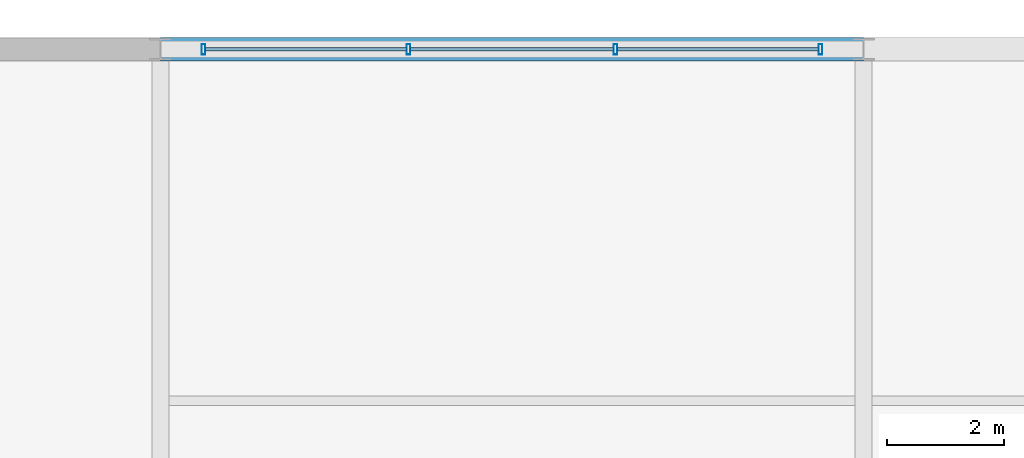
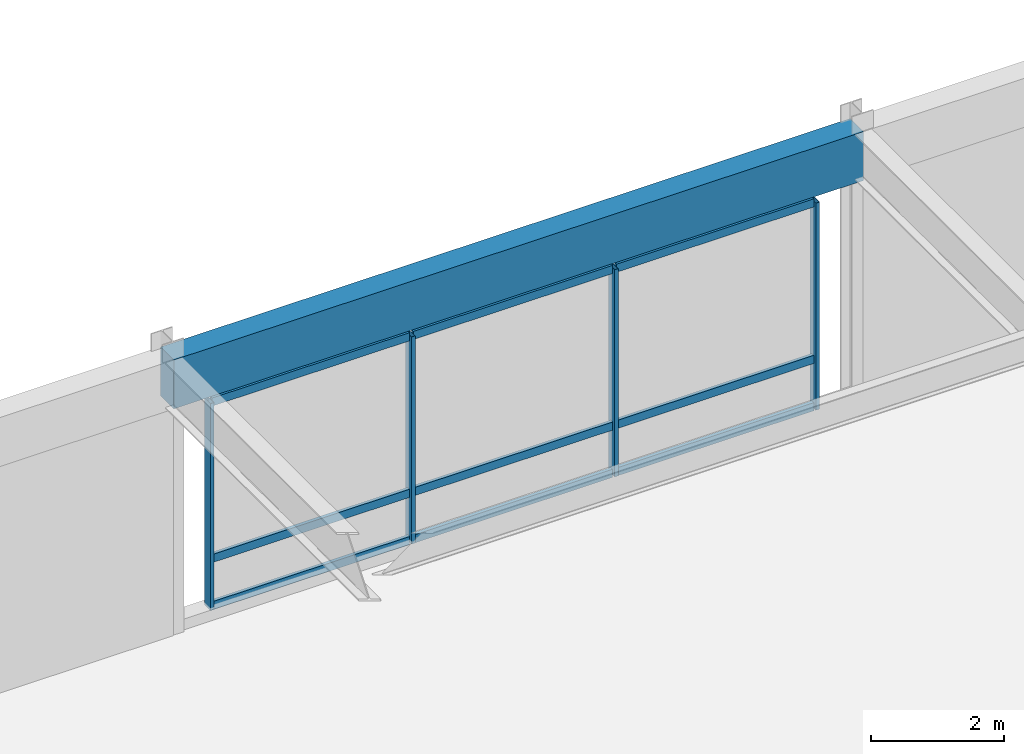
# One storey, part 36 of 100: 13 members, 1 beam, 1 element without a shape of its own.
"""IFC4 building model written with IfcOpenShell, lengths in metres."""

from ifc_helpers import new_model, si_unit, direction, frame, origin, origin_2d, place, context, subcontext, project, spatial, rectangle, hollow_rectangle, extrude, material, material_profile, profile_set, type_object, element, aggregate, save


model = new_model("IFC4")

# Units and contexts
model_context = context("Model", 3, precision=1e-05, world=origin(), true_north=direction((0.0, 1.0)))
body_context = subcontext(model_context, "Body", "Model", "MODEL_VIEW")
ifc_project = project(units=[si_unit("LENGTHUNIT", "METRE"), si_unit("AREAUNIT", "SQUARE_METRE"), si_unit("VOLUMEUNIT", "CUBIC_METRE"), si_unit("PLANEANGLEUNIT", "RADIAN"), si_unit("MASSUNIT", "GRAM", prefix="KILO")], contexts=[model_context])

# Site, building, storey
site_placement = place(None, origin())
site = spatial("IfcSite", under=ifc_project, at=site_placement, CompositionType="ELEMENT")
building_placement = place(site_placement, origin())
building = spatial("IfcBuilding", under=site, at=building_placement, Name="Kaldorvane Square Convention Centre", CompositionType="ELEMENT")
storey_placement = place(building_placement, frame((0.0, 0.0, 18.0)))
storey = spatial("IfcBuildingStorey", under=building, at=storey_placement, Name="L03", CompositionType="ELEMENT", Elevation=18.0)

# Beam
ifc_material_1 = material(Name="Concrete f'c = 42 MPa (Normalweight)", Category="concrete")
ifc_material_profile_1 = material_profile(ifc_material_1, rectangle(XDim=0.399993896484375, YDim=0.899993896484375, at=origin_2d()), Name="RCSP900X400")
ifc_profile_set_1 = profile_set([ifc_material_profile_1], Name="Concrete f'c = 42 MPa (Normalweight)")
beam_type = type_object("IfcBeamType", Name="BM-SP-RC900", PredefinedType="SPANDREL", material=ifc_profile_set_1)
beam_placement = place(storey_placement, frame((102.0, 117.0, 4.626007080078125), z_axis=(1.0, 0.0, 0.0), x_axis=(0.0, 1.0, 0.0)))
element("IfcBeam", 1, at=beam_placement, inside=storey, type_object=beam_type, Name="Perimeter Spandrel (L03)", PredefinedType="SPANDREL", context=body_context, shape_type="SweptSolid", body=[
    extrude(rectangle(XDim=0.399993896484375, YDim=0.899993896484375, at=origin_2d()), origin(), (0.0, 0.0, 1.0), 12.0),
])

# Curtain wall, members
ifc_material_2 = material(Name="Anodized Aluminum and Low-E Insulated Glazing", Category="aluminium")
curtain_wall_type = type_object("IfcCurtainWallType", Name="CW-UNI-P54-09", PredefinedType="USERDEFINED", material=ifc_material_2)
curtain_wall_placement = place(storey_placement, origin())
curtain_wall = element("IfcCurtainWall", 2, at=curtain_wall_placement, inside=storey, type_object=curtain_wall_type, Name="Curtain Wall CW-04 (L03)", ObjectType="UNITISED GLAZING", PredefinedType="USERDEFINED")
ifc_material_profile_2 = material_profile(ifc_material_2, hollow_rectangle(XDim=0.06500244140625, YDim=0.17999267578125, WallThickness=0.0034942626953125, at=origin_2d()), Name="CWM-180X65")
ifc_profile_set_2 = profile_set([ifc_material_profile_2], Name="Anodized Aluminum and Low-E Insulated Glazing")
member_type_1 = type_object("IfcMemberType", Name="CW-MUL-180", PredefinedType="MULLION", material=ifc_profile_set_2)
member_1_placement = place(storey_placement, frame((113.26750183105469, 117.0, 0.149993896484375), z_axis=(0.0, 0.0, 1.0), x_axis=(-1.0, 0.0, 0.0)))
member_1 = element("IfcMember", 3, at=member_1_placement, type_object=member_type_1, Name="CW-04 mullion 1", PredefinedType="MULLION", context=body_context, shape_type="SweptSolid", body=[
    extrude(hollow_rectangle(XDim=0.06500244140625, YDim=0.17999267578125, WallThickness=0.0034942626953125, at=origin_2d()), origin(), (0.0, 0.0, 1.0), 3.8100128173828125),
])
member_2_placement = place(storey_placement, frame((109.76666259765625, 117.0, 0.149993896484375), z_axis=(0.0, 0.0, 1.0), x_axis=(-1.0, 0.0, 0.0)))
member_2 = element("IfcMember", 4, at=member_2_placement, type_object=member_type_1, Name="CW-04 mullion 2", PredefinedType="MULLION", context=body_context, shape_type="SweptSolid", body=[
    extrude(hollow_rectangle(XDim=0.06500244140625, YDim=0.17999267578125, WallThickness=0.0034942626953125, at=origin_2d()), origin(), (0.0, 0.0, 1.0), 3.8100128173828125),
])
member_3_placement = place(storey_placement, frame((106.23333740234375, 117.0, 0.149993896484375), z_axis=(0.0, 0.0, 1.0), x_axis=(-1.0, 0.0, 0.0)))
member_3 = element("IfcMember", 5, at=member_3_placement, type_object=member_type_1, Name="CW-04 mullion 3", PredefinedType="MULLION", context=body_context, shape_type="SweptSolid", body=[
    extrude(hollow_rectangle(XDim=0.06500244140625, YDim=0.17999267578125, WallThickness=0.0034942626953125, at=origin_2d()), origin(), (0.0, 0.0, 1.0), 3.8100128173828125),
])
member_4_placement = place(storey_placement, frame((102.73249816894531, 117.0, 0.149993896484375), z_axis=(0.0, 0.0, 1.0), x_axis=(-1.0, 0.0, 0.0)))
member_4 = element("IfcMember", 6, at=member_4_placement, type_object=member_type_1, Name="CW-04 mullion 4", PredefinedType="MULLION", context=body_context, shape_type="SweptSolid", body=[
    extrude(hollow_rectangle(XDim=0.06500244140625, YDim=0.17999267578125, WallThickness=0.0034942626953125, at=origin_2d()), origin(), (0.0, 0.0, 1.0), 3.8100128173828125),
])
ifc_material_profile_3 = material_profile(ifc_material_2, hollow_rectangle(XDim=0.05999755859375, YDim=0.149993896484375, WallThickness=0.003204345703125, at=origin_2d()), Name="CWT-150X60")
ifc_profile_set_3 = profile_set([ifc_material_profile_3], Name="Anodized Aluminum and Low-E Insulated Glazing")
member_type_2 = type_object("IfcMemberType", Name="CW-TRN-150", PredefinedType="USERDEFINED", material=ifc_profile_set_3)
member_5_placement = place(storey_placement, frame((113.23500061035156, 117.0, 0.17999267578125), z_axis=(-1.0, 0.0, 0.0), x_axis=(0.0, -1.0, 0.0)))
member_5 = element("IfcMember", 7, at=member_5_placement, type_object=member_type_2, Name="CW-04 transom 1.1", ObjectType="TRANSOM", PredefinedType="USERDEFINED", context=body_context, shape_type="SweptSolid", body=[
    extrude(hollow_rectangle(XDim=0.05999755859375, YDim=0.149993896484375, WallThickness=0.003204345703125, at=origin_2d()), origin(), (0.0, 0.0, 1.0), 3.4358367919921875),
])
member_6_placement = place(storey_placement, frame((113.23500061035156, 117.0, 1.0500030517578125), z_axis=(-1.0, 0.0, 0.0), x_axis=(0.0, -1.0, 0.0)))
member_6 = element("IfcMember", 8, at=member_6_placement, type_object=member_type_2, Name="CW-04 transom 1.2", ObjectType="TRANSOM", PredefinedType="USERDEFINED", context=body_context, shape_type="SweptSolid", body=[
    extrude(hollow_rectangle(XDim=0.05999755859375, YDim=0.149993896484375, WallThickness=0.003204345703125, at=origin_2d()), origin(), (0.0, 0.0, 1.0), 3.4358367919921875),
])
member_7_placement = place(storey_placement, frame((113.23500061035156, 117.0, 3.92999267578125), z_axis=(-1.0, 0.0, 0.0), x_axis=(0.0, -1.0, 0.0)))
member_7 = element("IfcMember", 9, at=member_7_placement, type_object=member_type_2, Name="CW-04 transom 1.3", ObjectType="TRANSOM", PredefinedType="USERDEFINED", context=body_context, shape_type="SweptSolid", body=[
    extrude(hollow_rectangle(XDim=0.05999755859375, YDim=0.149993896484375, WallThickness=0.003204345703125, at=origin_2d()), origin(), (0.0, 0.0, 1.0), 3.4358367919921875),
])
member_8_placement = place(storey_placement, frame((109.73416137695312, 117.0, 0.17999267578125), z_axis=(-1.0, 0.0, 0.0), x_axis=(0.0, -1.0, 0.0)))
member_8 = element("IfcMember", 10, at=member_8_placement, type_object=member_type_2, Name="CW-04 transom 2.1", ObjectType="TRANSOM", PredefinedType="USERDEFINED", context=body_context, shape_type="SweptSolid", body=[
    extrude(hollow_rectangle(XDim=0.05999755859375, YDim=0.149993896484375, WallThickness=0.003204345703125, at=origin_2d()), origin(), (0.0, 0.0, 1.0), 3.46832275390625),
])
member_9_placement = place(storey_placement, frame((109.73416137695312, 117.0, 1.0500030517578125), z_axis=(-1.0, 0.0, 0.0), x_axis=(0.0, -1.0, 0.0)))
member_9 = element("IfcMember", 11, at=member_9_placement, type_object=member_type_2, Name="CW-04 transom 2.2", ObjectType="TRANSOM", PredefinedType="USERDEFINED", context=body_context, shape_type="SweptSolid", body=[
    extrude(hollow_rectangle(XDim=0.05999755859375, YDim=0.149993896484375, WallThickness=0.003204345703125, at=origin_2d()), origin(), (0.0, 0.0, 1.0), 3.46832275390625),
])
member_10_placement = place(storey_placement, frame((109.73416137695312, 117.0, 3.92999267578125), z_axis=(-1.0, 0.0, 0.0), x_axis=(0.0, -1.0, 0.0)))
member_10 = element("IfcMember", 12, at=member_10_placement, type_object=member_type_2, Name="CW-04 transom 2.3", ObjectType="TRANSOM", PredefinedType="USERDEFINED", context=body_context, shape_type="SweptSolid", body=[
    extrude(hollow_rectangle(XDim=0.05999755859375, YDim=0.149993896484375, WallThickness=0.003204345703125, at=origin_2d()), origin(), (0.0, 0.0, 1.0), 3.46832275390625),
])
member_11_placement = place(storey_placement, frame((106.20083618164062, 117.0, 0.17999267578125), z_axis=(-1.0, 0.0, 0.0), x_axis=(0.0, -1.0, 0.0)))
member_11 = element("IfcMember", 13, at=member_11_placement, type_object=member_type_2, Name="CW-04 transom 3.1", ObjectType="TRANSOM", PredefinedType="USERDEFINED", context=body_context, shape_type="SweptSolid", body=[
    extrude(hollow_rectangle(XDim=0.05999755859375, YDim=0.149993896484375, WallThickness=0.003204345703125, at=origin_2d()), origin(), (0.0, 0.0, 1.0), 3.4358367919921875),
])
member_12_placement = place(storey_placement, frame((106.20083618164062, 117.0, 1.0500030517578125), z_axis=(-1.0, 0.0, 0.0), x_axis=(0.0, -1.0, 0.0)))
member_12 = element("IfcMember", 14, at=member_12_placement, type_object=member_type_2, Name="CW-04 transom 3.2", ObjectType="TRANSOM", PredefinedType="USERDEFINED", context=body_context, shape_type="SweptSolid", body=[
    extrude(hollow_rectangle(XDim=0.05999755859375, YDim=0.149993896484375, WallThickness=0.003204345703125, at=origin_2d()), origin(), (0.0, 0.0, 1.0), 3.4358367919921875),
])
member_13_placement = place(storey_placement, frame((106.20083618164062, 117.0, 3.92999267578125), z_axis=(-1.0, 0.0, 0.0), x_axis=(0.0, -1.0, 0.0)))
member_13 = element("IfcMember", 15, at=member_13_placement, type_object=member_type_2, Name="CW-04 transom 3.3", ObjectType="TRANSOM", PredefinedType="USERDEFINED", context=body_context, shape_type="SweptSolid", body=[
    extrude(hollow_rectangle(XDim=0.05999755859375, YDim=0.149993896484375, WallThickness=0.003204345703125, at=origin_2d()), origin(), (0.0, 0.0, 1.0), 3.4358367919921875),
])
aggregate(curtain_wall, [member_1, member_2, member_3, member_4, member_5, member_6, member_7, member_8, member_9, member_10, member_11, member_12, member_13])

save(model, "model.ifc")
